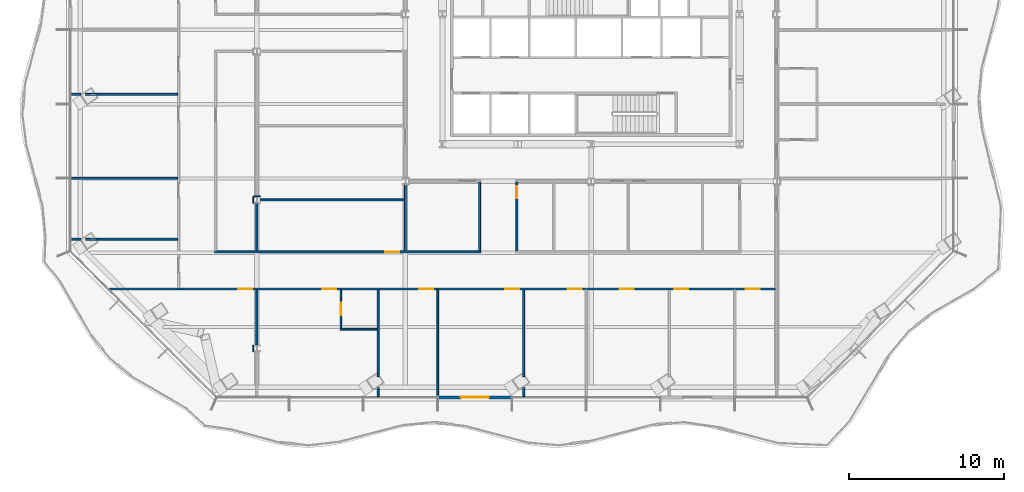
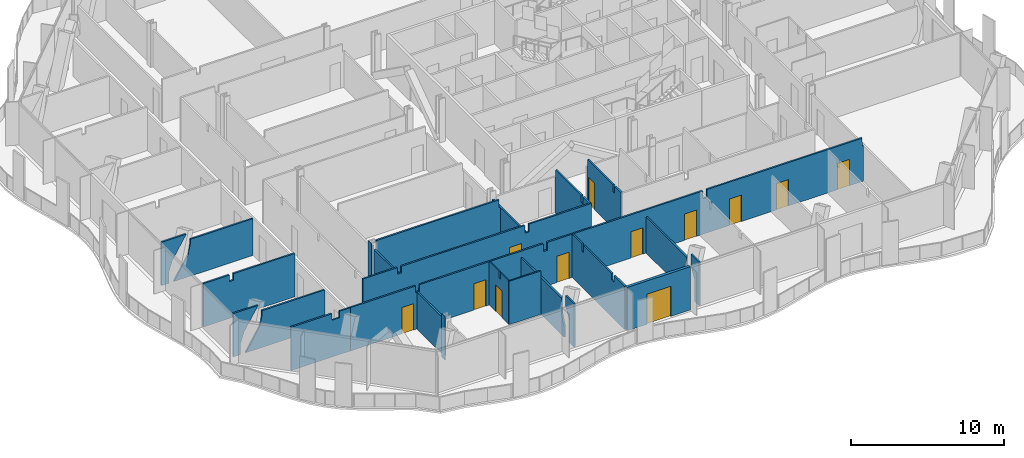
# One storey, part 6 of 19: 25 walls, 12 doors, 12 openings.
"""IFC4 building model written with IfcOpenShell, lengths in metres."""

from ifc_helpers import new_model, si_unit, direction, frame, frame_2d, origin, place, context, subcontext, project, spatial, polyline, rectangle, outline, extrude, material, layer, layer_set, type_object, element, fill, save


model = new_model("IFC4")

# Units and contexts
model_context = context("Model", 3, precision=1e-05, world=origin(), true_north=direction((0.0, 1.0)))
body_context = subcontext(model_context, "Body", "Model", "MODEL_VIEW")
ifc_project = project(units=[si_unit("LENGTHUNIT", "METRE"), si_unit("AREAUNIT", "SQUARE_METRE"), si_unit("VOLUMEUNIT", "CUBIC_METRE"), si_unit("PLANEANGLEUNIT", "RADIAN"), si_unit("MASSUNIT", "GRAM", prefix="KILO")], contexts=[model_context])

# Site, building, storey
site_placement = place(None, origin())
site = spatial("IfcSite", under=ifc_project, at=site_placement, CompositionType="ELEMENT")
building_placement = place(site_placement, origin())
building = spatial("IfcBuilding", under=site, at=building_placement, Name="Cairn Pilgrim Tower", CompositionType="ELEMENT")
storey_placement = place(building_placement, frame((0.0, 0.0, 97.800048828125)))
storey = spatial("IfcBuildingStorey", under=building, at=storey_placement, Name="L23", CompositionType="ELEMENT", Elevation=97.800048828125)

# Wall, opening, door
ifc_material_1 = material(Name="Bronze anodised aluminium insulated sandwich panel with mineral wool fill", Category="aluminium")
ifc_layer_1 = layer(ifc_material_1, 0.199951171875)
ifc_layer_set_1 = layer_set([ifc_layer_1], Name="BRONZE INFILL FRAME WALL 200")
wall_type_1 = type_object("IfcWallType", Name="BRONZE INFILL FRAME WALL 200", PredefinedType="NOTDEFINED", material=ifc_layer_set_1)
wall_1_placement = place(storey_placement, frame((-2.682861328125, -22.358642578125, 0.0), z_axis=(0.0, 0.0, 1.0), x_axis=(1.0, 0.0, 0.0)))
wall_1 = element("IfcWall", 1, at=wall_1_placement, inside=storey, type_object=wall_type_1, Name="Bronze infill frame wall IW-S4", PredefinedType="NOTDEFINED", context=body_context, shape_type="SweptSolid", body=[
    extrude(rectangle(XDim=4.739990234375, YDim=0.199951171875, at=frame_2d((2.3701171875, 0.0))), origin(), (0.0, 0.0, 1.0), 3.449951171875),
])
opening_1_placement = place(wall_1_placement, frame((1.469970703125, 0.0, 0.0)))
opening_1 = element("IfcOpeningElement", 2, at=opening_1_placement, cuts=wall_1, Name="Opening 2304B", PredefinedType="OPENING", context=body_context, shape_type="SweptSolid", body=[
    extrude(rectangle(XDim=1.800048828125, YDim=2.39990234375, at=frame_2d((0.89990234375, 1.199951171875))), frame((0.0, 0.10986328125, 0.0), z_axis=(0.0, -1.0, 0.0), x_axis=(1.0, 0.0, 0.0)), (0.0, 0.0, 1.0), 0.219970703125),
])
ifc_material_2 = material(Name="Bronze anodised aluminium frame with tinted low-E glass", Category="aluminium")
door_type_1 = type_object("IfcDoorType", Name="BALCONY SLIDING DOOR 1800x2400", OperationType="DOUBLE_DOOR_SLIDING", PredefinedType="DOOR", material=ifc_material_2)
door_1_placement = place(opening_1_placement, origin())
door_1 = element("IfcDoor", 3, at=door_1_placement, inside=storey, type_object=door_type_1, Name="Balcony sliding door 2304B", OperationType="SINGLE_SWING_LEFT", OverallHeight=2.39990234375, OverallWidth=1.800048828125, PredefinedType="DOOR", context=body_context, shape_type="SweptSolid", body=[
    extrude(rectangle(XDim=1.800048828125, YDim=2.39990234375, at=frame_2d((0.89990234375, 1.199951171875))), frame((0.0, 0.02490234375, 0.0), z_axis=(0.0, -1.0, 0.0), x_axis=(1.0, 0.0, 0.0)), (0.0, 0.0, 1.0), 0.050048828125),
])
fill(opening_1, door_1)

# Wall
ifc_material_3 = material(Name="Gypsum partition")
ifc_layer_2 = layer(ifc_material_3, 0.10009765625)
ifc_layer_set_2 = layer_set([ifc_layer_2], Name="PARTITION 100 DRYWALL")
wall_type_2 = type_object("IfcWallType", Name="PARTITION 100 DRYWALL", PredefinedType="PARTITIONING", material=ifc_layer_set_2)
wall_2_placement = place(storey_placement, frame((-9.02001953125, -17.958984375, 0.0), z_axis=(0.0, 0.0, 1.0), x_axis=(1.0, 0.0, 0.0)))
element("IfcWall", 4, at=wall_2_placement, inside=storey, type_object=wall_type_2, Name="PARTITION W013", PredefinedType="PARTITIONING", context=body_context, shape_type="SweptSolid", body=[
    extrude(rectangle(XDim=2.387451171875, YDim=0.10009765625, at=frame_2d((1.19384765625, 0.0))), origin(), (0.0, 0.0, 1.0), 3.449951171875),
])

# Wall, opening, door
wall_3_placement = place(storey_placement, frame((-8.969970703125, -17.908935546875, 0.0), z_axis=(0.0, 0.0, 1.0), x_axis=(0.0, 1.0, 0.0)))
wall_3 = element("IfcWall", 5, at=wall_3_placement, inside=storey, type_object=wall_type_2, Name="PARTITION W014", PredefinedType="PARTITIONING", context=body_context, shape_type="SweptSolid", body=[
    extrude(outline(polyline([(0.0, 0.0), (2.487548828125, 0.0), (2.487548828125, 3.449951171875), (1.208984375, 3.449951171875), (1.20703125, 2.929931640625), (1.009033203125, 2.929931640625), (1.007080078125, 3.449951171875), (0.0, 3.449951171875), (0.0, 0.0)])), frame((0.0, 0.050048828125, 0.0), z_axis=(0.0, -1.0, 0.0), x_axis=(1.0, 0.0, 0.0)), (0.0, 0.0, 1.0), 0.10009765625),
])
opening_2_placement = place(wall_3_placement, frame((0.85009765625, 0.0, 0.0)))
opening_2 = element("IfcOpeningElement", 6, at=opening_2_placement, cuts=wall_3, Name="Opening 2302E", PredefinedType="OPENING", context=body_context, shape_type="SweptSolid", body=[
    extrude(rectangle(XDim=0.800048828125, YDim=2.10009765625, at=frame_2d((0.39990234375, 1.050048828125))), frame((0.0, 0.06005859375, 0.0), z_axis=(0.0, -1.0, 0.0), x_axis=(1.0, 0.0, 0.0)), (0.0, 0.0, 1.0), 0.1201171875),
])
ifc_material_4 = material(Name="Timber door leaf", Category="wood")
door_type_2 = type_object("IfcDoorType", Name="DOOR 800x2100", OperationType="NOTDEFINED", PredefinedType="DOOR", material=ifc_material_4)
door_2_placement = place(opening_2_placement, frame((0.800048828125, 0.0, 0.0), z_axis=(0.0, 0.0, 1.0), x_axis=(-1.0, 0.0, 0.0)))
door_2 = element("IfcDoor", 7, at=door_2_placement, inside=storey, type_object=door_type_2, Name="DOOR 2302E", OperationType="SINGLE_SWING_RIGHT", OverallHeight=2.10009765625, OverallWidth=0.800048828125, PredefinedType="DOOR", context=body_context, shape_type="SweptSolid", body=[
    extrude(rectangle(XDim=0.800048828125, YDim=2.10009765625, at=frame_2d((0.39990234375, 1.050048828125))), frame((0.0, 0.02490234375, 0.0), z_axis=(0.0, -1.0, 0.0), x_axis=(1.0, 0.0, 0.0)), (0.0, 0.0, 1.0), 0.050048828125),
])
fill(opening_2, door_2)

# Walls
ifc_layer_3 = layer(ifc_material_3, 0.125)
ifc_layer_set_3 = layer_set([ifc_layer_3], Name="PARTITION 125 DRYWALL EI 60")
wall_type_3 = type_object("IfcWallType", Name="PARTITION 125 DRYWALL EI 60", PredefinedType="PARTITIONING", material=ifc_layer_set_3)
wall_4_placement = place(storey_placement, frame((-6.570068359375, -22.3115234375, 0.0), z_axis=(0.0, 0.0, 1.0), x_axis=(0.0, 1.0, 0.0)))
element("IfcWall", 8, at=wall_4_placement, inside=storey, type_object=wall_type_3, Name="PARTITION W002", PredefinedType="PARTITIONING", context=body_context, shape_type="SweptSolid", body=[
    extrude(outline(polyline([(0.0, 0.0), (0.5849609375, 0.0), (0.5849609375, 0.862548828125), (0.5849609375, 1.724853515625), (1.059326171875, 2.58740234375), (1.059326171875, 3.449951171875), (0.0, 3.449951171875), (0.0, 2.58740234375), (0.0, 1.724853515625), (0.0, 0.862548828125), (0.0, 0.0)])), frame((0.0, 0.0625, 0.0), z_axis=(0.0, -1.0, 0.0), x_axis=(1.0, 0.0, 0.0)), (0.0, 0.0, 1.0), 0.125),
])
wall_5_placement = place(storey_placement, frame((-2.712890625, -22.258544921875, 0.0), z_axis=(0.0, 0.0, 1.0), x_axis=(0.0, 1.0, 0.0)))
element("IfcWall", 9, at=wall_5_placement, inside=storey, type_object=wall_type_3, Name="PARTITION W003", PredefinedType="PARTITIONING", context=body_context, shape_type="SweptSolid", body=[
    extrude(outline(polyline([(0.0, 0.0), (6.837158203125, 0.0), (6.837158203125, 3.449951171875), (5.563720703125, 3.449951171875), (5.5615234375, 2.8798828125), (5.353515625, 2.8798828125), (5.3515625, 3.449951171875), (1.70849609375, 3.449951171875), (1.70654296875, 2.929931640625), (1.40869140625, 2.929931640625), (1.406494140625, 3.449951171875), (0.0, 3.449951171875), (0.0, 0.0)])), frame((0.0, 0.0625, 0.0), z_axis=(0.0, -1.0, 0.0), x_axis=(1.0, 0.0, 0.0)), (0.0, 0.0, 1.0), 0.125),
])
wall_6_placement = place(storey_placement, frame((2.843994140625, -22.3115234375, 0.0), z_axis=(0.0, 0.0, 1.0), x_axis=(0.0, 1.0, 0.0)))
element("IfcWall", 10, at=wall_6_placement, inside=storey, type_object=wall_type_3, Name="PARTITION W004", PredefinedType="PARTITIONING", context=body_context, shape_type="SweptSolid", body=[
    extrude(outline(polyline([(0.0, 0.0), (0.585205078125, 0.0), (0.585205078125, 0.862548828125), (0.585205078125, 1.724853515625), (1.05859375, 2.58740234375), (1.05859375, 3.449951171875), (0.0, 3.449951171875), (0.0, 2.58740234375), (0.0, 1.724853515625), (0.0, 0.862548828125), (0.0, 0.0)])), frame((0.0, 0.0625, 0.0), z_axis=(0.0, -1.0, 0.0), x_axis=(1.0, 0.0, 0.0)), (0.0, 0.0, 1.0), 0.125),
])
wall_7_placement = place(storey_placement, frame((-6.570068359375, -21.019775390625, 0.0), z_axis=(0.0, 0.0, 1.0), x_axis=(0.0, 1.0, 0.0)))
element("IfcWall", 11, at=wall_7_placement, inside=storey, type_object=wall_type_3, Name="PARTITION W009", PredefinedType="PARTITIONING", context=body_context, shape_type="SweptSolid", body=[
    extrude(outline(polyline([(0.0, 0.0), (5.598388671875, 0.0), (5.598388671875, 0.862548828125), (5.598388671875, 1.724853515625), (5.598388671875, 2.58740234375), (5.598388671875, 2.929931640625), (0.337890625, 2.929931640625), (0.337890625, 2.58740234375), (0.337890625, 1.724853515625), (0.0, 0.862548828125), (0.0, 0.0)])), frame((0.0, 0.0625, 0.0), z_axis=(0.0, -1.0, 0.0), x_axis=(1.0, 0.0, 0.0)), (0.0, 0.0, 1.0), 0.125),
])
wall_8_placement = place(storey_placement, frame((2.843994140625, -21.0205078125, 0.0), z_axis=(0.0, 0.0, 1.0), x_axis=(0.0, 1.0, 0.0)))
element("IfcWall", 12, at=wall_8_placement, inside=storey, type_object=wall_type_3, Name="PARTITION W010", PredefinedType="PARTITIONING", context=body_context, shape_type="SweptSolid", body=[
    extrude(outline(polyline([(0.0, 0.0), (5.598876953125, 0.0), (5.598876953125, 0.862548828125), (5.598876953125, 1.724853515625), (5.598876953125, 2.58740234375), (5.598876953125, 2.8798828125), (0.3388671875, 2.8798828125), (0.3388671875, 2.58740234375), (0.3388671875, 1.724853515625), (0.0, 0.862548828125), (0.0, 0.0)])), frame((0.0, 0.0625, 0.0), z_axis=(0.0, -1.0, 0.0), x_axis=(1.0, 0.0, 0.0)), (0.0, 0.0, 1.0), 0.125),
])
wall_9_placement = place(storey_placement, frame((-14.39990234375, -18.987548828125, 0.0), z_axis=(0.0, 0.0, 1.0), x_axis=(0.0, 1.0, 0.0)))
element("IfcWall", 13, at=wall_9_placement, inside=storey, type_object=wall_type_3, Name="PARTITION W012", PredefinedType="PARTITIONING", context=body_context, shape_type="SweptSolid", body=[
    extrude(rectangle(XDim=3.566162109375, YDim=0.125, at=frame_2d((1.783203125, 0.0))), origin(), (0.0, 0.0, 1.0), 2.929931640625),
])
wall_10_placement = place(storey_placement, frame((-23.91943359375, -15.35888671875, 0.0), z_axis=(0.0, 0.0, 1.0), x_axis=(1.0, 0.0, 0.0)))
element("IfcWall", 14, at=wall_10_placement, inside=storey, type_object=wall_type_3, Name="PARTITION W015", PredefinedType="PARTITIONING", context=body_context, shape_type="SweptSolid", body=[
    extrude(outline(polyline([(0.0, 0.0), (4.45654296875, 0.0), (4.45654296875, 3.449951171875), (3.6259765625, 3.449951171875), (3.6240234375, 2.929931640625), (3.07666015625, 2.929931640625), (3.07470703125, 3.449951171875), (0.0, 3.449951171875), (0.0, 0.0)])), frame((0.0, 0.0625, 0.0), z_axis=(0.0, -1.0, 0.0), x_axis=(1.0, 0.0, 0.0)), (0.0, 0.0, 1.0), 0.125),
])

# Wall, openings, doors
wall_11_placement = place(storey_placement, frame((-19.462890625, -15.35888671875, 0.0), z_axis=(0.0, 0.0, 1.0), x_axis=(1.0, 0.0, 0.0)))
wall_11 = element("IfcWall", 15, at=wall_11_placement, inside=storey, type_object=wall_type_3, Name="PARTITION W016", PredefinedType="PARTITIONING", context=body_context, shape_type="SweptSolid", body=[
    extrude(outline(polyline([(0.0, 0.0), (38.600341796875, 0.0), (38.6005859375, 2.829833984375), (38.512939453125, 2.829833984375), (38.510986328125, 3.449951171875), (26.81298828125, 3.449951171875), (26.81103515625, 2.829833984375), (26.512939453125, 2.829833984375), (26.510986328125, 3.449951171875), (14.81298828125, 3.449951171875), (14.81103515625, 2.829833984375), (14.512939453125, 2.829833984375), (14.510986328125, 3.449951171875), (5.212890625, 3.449951171875), (5.2109375, 2.929931640625), (4.9130859375, 2.929931640625), (4.910888671875, 3.449951171875), (0.0, 3.449951171875), (0.0, 0.0)])), frame((0.0, 0.0625, 0.0), z_axis=(0.0, -1.0, 0.0), x_axis=(1.0, 0.0, 0.0)), (0.0, 0.0, 1.0), 0.125),
])
opening_3_placement = place(wall_11_placement, frame((3.863037109375, 0.0, 0.0)))
opening_3 = element("IfcOpeningElement", 16, at=opening_3_placement, cuts=wall_11, Name="Opening 2301", PredefinedType="OPENING", context=body_context, shape_type="SweptSolid", body=[
    extrude(rectangle(XDim=0.89990234375, YDim=2.10009765625, at=frame_2d((0.449951171875, 1.050048828125))), frame((0.0, 0.072509765625, 0.0), z_axis=(0.0, -1.0, 0.0), x_axis=(1.0, 0.0, 0.0)), (0.0, 0.0, 1.0), 0.14501953125),
])
opening_4_placement = place(wall_11_placement, frame((9.29296875, 0.0, 0.0)))
opening_4 = element("IfcOpeningElement", 17, at=opening_4_placement, cuts=wall_11, Name="Opening 2302", PredefinedType="OPENING", context=body_context, shape_type="SweptSolid", body=[
    extrude(rectangle(XDim=0.89990234375, YDim=2.10009765625, at=frame_2d((0.449951171875, 1.050048828125))), frame((0.0, 0.072509765625, 0.0), z_axis=(0.0, -1.0, 0.0), x_axis=(1.0, 0.0, 0.0)), (0.0, 0.0, 1.0), 0.14501953125),
])
opening_5_placement = place(wall_11_placement, frame((15.550048828125, 0.0, 0.0)))
opening_5 = element("IfcOpeningElement", 18, at=opening_5_placement, cuts=wall_11, Name="Opening 2303", PredefinedType="OPENING", context=body_context, shape_type="SweptSolid", body=[
    extrude(rectangle(XDim=0.89990234375, YDim=2.10009765625, at=frame_2d((0.449951171875, 1.050048828125))), frame((0.0, 0.072509765625, 0.0), z_axis=(0.0, -1.0, 0.0), x_axis=(1.0, 0.0, 0.0)), (0.0, 0.0, 1.0), 0.14501953125),
])
opening_6_placement = place(wall_11_placement, frame((21.10693359375, 0.0, 0.0)))
opening_6 = element("IfcOpeningElement", 19, at=opening_6_placement, cuts=wall_11, Name="Opening 2304", PredefinedType="OPENING", context=body_context, shape_type="SweptSolid", body=[
    extrude(rectangle(XDim=0.89990234375, YDim=2.10009765625, at=frame_2d((0.449951171875, 1.050048828125))), frame((0.0, 0.072509765625, 0.0), z_axis=(0.0, -1.0, 0.0), x_axis=(1.0, 0.0, 0.0)), (0.0, 0.0, 1.0), 0.14501953125),
])
opening_7_placement = place(wall_11_placement, frame((25.14990234375, 0.0, 0.0)))
opening_7 = element("IfcOpeningElement", 20, at=opening_7_placement, cuts=wall_11, Name="Opening 2305", PredefinedType="OPENING", context=body_context, shape_type="SweptSolid", body=[
    extrude(rectangle(XDim=0.89990234375, YDim=2.10009765625, at=frame_2d((0.449951171875, 1.050048828125))), frame((0.0, 0.072509765625, 0.0), z_axis=(0.0, -1.0, 0.0), x_axis=(1.0, 0.0, 0.0)), (0.0, 0.0, 1.0), 0.14501953125),
])
opening_8_placement = place(wall_11_placement, frame((28.52001953125, 0.0, 0.0)))
opening_8 = element("IfcOpeningElement", 21, at=opening_8_placement, cuts=wall_11, Name="Opening 2306", PredefinedType="OPENING", context=body_context, shape_type="SweptSolid", body=[
    extrude(rectangle(XDim=0.89990234375, YDim=2.10009765625, at=frame_2d((0.449951171875, 1.050048828125))), frame((0.0, 0.072509765625, 0.0), z_axis=(0.0, -1.0, 0.0), x_axis=(1.0, 0.0, 0.0)), (0.0, 0.0, 1.0), 0.14501953125),
])
opening_9_placement = place(wall_11_placement, frame((32.050048828125, 0.0, 0.0)))
opening_9 = element("IfcOpeningElement", 22, at=opening_9_placement, cuts=wall_11, Name="Opening 2307", PredefinedType="OPENING", context=body_context, shape_type="SweptSolid", body=[
    extrude(rectangle(XDim=0.89990234375, YDim=2.10009765625, at=frame_2d((0.449951171875, 1.050048828125))), frame((0.0, 0.072509765625, 0.0), z_axis=(0.0, -1.0, 0.0), x_axis=(1.0, 0.0, 0.0)), (0.0, 0.0, 1.0), 0.14501953125),
])
opening_10_placement = place(wall_11_placement, frame((36.6630859375, 0.0, 0.0)))
opening_10 = element("IfcOpeningElement", 23, at=opening_10_placement, cuts=wall_11, Name="Opening 2308", PredefinedType="OPENING", context=body_context, shape_type="SweptSolid", body=[
    extrude(rectangle(XDim=0.89990234375, YDim=2.10009765625, at=frame_2d((0.449951171875, 1.050048828125))), frame((0.0, 0.072509765625, 0.0), z_axis=(0.0, -1.0, 0.0), x_axis=(1.0, 0.0, 0.0)), (0.0, 0.0, 1.0), 0.14501953125),
])
ifc_material_5 = material(Name="Steel-faced fire door leaf", Category="steel")
door_type_3 = type_object("IfcDoorType", Name="FIRE DOOR 900x2100 FD30S", OperationType="NOTDEFINED", PredefinedType="DOOR", material=ifc_material_5)
door_3_placement = place(opening_3_placement, frame((0.89990234375, 0.0, 0.0), z_axis=(0.0, 0.0, 1.0), x_axis=(-1.0, 0.0, 0.0)))
door_3 = element("IfcDoor", 24, at=door_3_placement, inside=storey, type_object=door_type_3, Name="DOOR 2301", OperationType="SINGLE_SWING_RIGHT", OverallHeight=2.10009765625, OverallWidth=0.89990234375, PredefinedType="DOOR", context=body_context, shape_type="SweptSolid", body=[
    extrude(rectangle(XDim=0.89990234375, YDim=2.10009765625, at=frame_2d((0.449951171875, 1.050048828125))), frame((0.0, 0.02490234375, 0.0), z_axis=(0.0, -1.0, 0.0), x_axis=(1.0, 0.0, 0.0)), (0.0, 0.0, 1.0), 0.050048828125),
])
fill(opening_3, door_3)
door_4_placement = place(opening_4_placement, frame((0.89990234375, 0.0, 0.0), z_axis=(0.0, 0.0, 1.0), x_axis=(-1.0, 0.0, 0.0)))
door_4 = element("IfcDoor", 25, at=door_4_placement, inside=storey, type_object=door_type_3, Name="DOOR 2302", OperationType="SINGLE_SWING_LEFT", OverallHeight=2.10009765625, OverallWidth=0.89990234375, PredefinedType="DOOR", context=body_context, shape_type="SweptSolid", body=[
    extrude(rectangle(XDim=0.89990234375, YDim=2.10009765625, at=frame_2d((0.449951171875, 1.050048828125))), frame((0.0, 0.02490234375, 0.0), z_axis=(0.0, -1.0, 0.0), x_axis=(1.0, 0.0, 0.0)), (0.0, 0.0, 1.0), 0.050048828125),
])
fill(opening_4, door_4)
door_5_placement = place(opening_5_placement, frame((0.89990234375, 0.0, 0.0), z_axis=(0.0, 0.0, 1.0), x_axis=(-1.0, 0.0, 0.0)))
door_5 = element("IfcDoor", 26, at=door_5_placement, inside=storey, type_object=door_type_3, Name="DOOR 2303", OperationType="SINGLE_SWING_LEFT", OverallHeight=2.10009765625, OverallWidth=0.89990234375, PredefinedType="DOOR", context=body_context, shape_type="SweptSolid", body=[
    extrude(rectangle(XDim=0.89990234375, YDim=2.10009765625, at=frame_2d((0.449951171875, 1.050048828125))), frame((0.0, 0.02490234375, 0.0), z_axis=(0.0, -1.0, 0.0), x_axis=(1.0, 0.0, 0.0)), (0.0, 0.0, 1.0), 0.050048828125),
])
fill(opening_5, door_5)
door_6_placement = place(opening_6_placement, frame((0.89990234375, 0.0, 0.0), z_axis=(0.0, 0.0, 1.0), x_axis=(-1.0, 0.0, 0.0)))
door_6 = element("IfcDoor", 27, at=door_6_placement, inside=storey, type_object=door_type_3, Name="DOOR 2304", OperationType="SINGLE_SWING_RIGHT", OverallHeight=2.10009765625, OverallWidth=0.89990234375, PredefinedType="DOOR", context=body_context, shape_type="SweptSolid", body=[
    extrude(rectangle(XDim=0.89990234375, YDim=2.10009765625, at=frame_2d((0.449951171875, 1.050048828125))), frame((0.0, 0.02490234375, 0.0), z_axis=(0.0, -1.0, 0.0), x_axis=(1.0, 0.0, 0.0)), (0.0, 0.0, 1.0), 0.050048828125),
])
fill(opening_6, door_6)
door_7_placement = place(opening_7_placement, frame((0.89990234375, 0.0, 0.0), z_axis=(0.0, 0.0, 1.0), x_axis=(-1.0, 0.0, 0.0)))
door_7 = element("IfcDoor", 28, at=door_7_placement, inside=storey, type_object=door_type_3, Name="DOOR 2305", OperationType="SINGLE_SWING_LEFT", OverallHeight=2.10009765625, OverallWidth=0.89990234375, PredefinedType="DOOR", context=body_context, shape_type="SweptSolid", body=[
    extrude(rectangle(XDim=0.89990234375, YDim=2.10009765625, at=frame_2d((0.449951171875, 1.050048828125))), frame((0.0, 0.02490234375, 0.0), z_axis=(0.0, -1.0, 0.0), x_axis=(1.0, 0.0, 0.0)), (0.0, 0.0, 1.0), 0.050048828125),
])
fill(opening_7, door_7)
door_8_placement = place(opening_8_placement, frame((0.89990234375, 0.0, 0.0), z_axis=(0.0, 0.0, 1.0), x_axis=(-1.0, 0.0, 0.0)))
door_8 = element("IfcDoor", 29, at=door_8_placement, inside=storey, type_object=door_type_3, Name="DOOR 2306", OperationType="SINGLE_SWING_RIGHT", OverallHeight=2.10009765625, OverallWidth=0.89990234375, PredefinedType="DOOR", context=body_context, shape_type="SweptSolid", body=[
    extrude(rectangle(XDim=0.89990234375, YDim=2.10009765625, at=frame_2d((0.449951171875, 1.050048828125))), frame((0.0, 0.02490234375, 0.0), z_axis=(0.0, -1.0, 0.0), x_axis=(1.0, 0.0, 0.0)), (0.0, 0.0, 1.0), 0.050048828125),
])
fill(opening_8, door_8)
door_9_placement = place(opening_9_placement, frame((0.89990234375, 0.0, 0.0), z_axis=(0.0, 0.0, 1.0), x_axis=(-1.0, 0.0, 0.0)))
door_9 = element("IfcDoor", 30, at=door_9_placement, inside=storey, type_object=door_type_3, Name="DOOR 2307", OperationType="SINGLE_SWING_LEFT", OverallHeight=2.10009765625, OverallWidth=0.89990234375, PredefinedType="DOOR", context=body_context, shape_type="SweptSolid", body=[
    extrude(rectangle(XDim=0.89990234375, YDim=2.10009765625, at=frame_2d((0.449951171875, 1.050048828125))), frame((0.0, 0.02490234375, 0.0), z_axis=(0.0, -1.0, 0.0), x_axis=(1.0, 0.0, 0.0)), (0.0, 0.0, 1.0), 0.050048828125),
])
fill(opening_9, door_9)
door_10_placement = place(opening_10_placement, frame((0.89990234375, 0.0, 0.0), z_axis=(0.0, 0.0, 1.0), x_axis=(-1.0, 0.0, 0.0)))
door_10 = element("IfcDoor", 31, at=door_10_placement, inside=storey, type_object=door_type_3, Name="DOOR 2308", OperationType="SINGLE_SWING_RIGHT", OverallHeight=2.10009765625, OverallWidth=0.89990234375, PredefinedType="DOOR", context=body_context, shape_type="SweptSolid", body=[
    extrude(rectangle(XDim=0.89990234375, YDim=2.10009765625, at=frame_2d((0.449951171875, 1.050048828125))), frame((0.0, 0.02490234375, 0.0), z_axis=(0.0, -1.0, 0.0), x_axis=(1.0, 0.0, 0.0)), (0.0, 0.0, 1.0), 0.050048828125),
])
fill(opening_10, door_10)

# Wall, opening, door
wall_12_placement = place(storey_placement, frame((-17.12548828125, -12.958984375, 0.0), z_axis=(0.0, 0.0, 1.0), x_axis=(1.0, 0.0, 0.0)))
wall_12 = element("IfcWall", 32, at=wall_12_placement, inside=storey, type_object=wall_type_3, Name="PARTITION W019", PredefinedType="PARTITIONING", context=body_context, shape_type="SweptSolid", body=[
    extrude(outline(polyline([(0.0, 0.0), (17.18798828125, 0.0), (17.18798828125, 3.449951171875), (12.4755859375, 3.449951171875), (12.473388671875, 2.829833984375), (12.175537109375, 2.829833984375), (12.173583984375, 3.449951171875), (2.87548828125, 3.449951171875), (2.87353515625, 2.929931640625), (2.575439453125, 2.929931640625), (2.573486328125, 3.449951171875), (0.0, 3.449951171875), (0.0, 0.0)])), frame((0.0, 0.0625, 0.0), z_axis=(0.0, -1.0, 0.0), x_axis=(1.0, 0.0, 0.0)), (0.0, 0.0, 1.0), 0.125),
])
opening_11_placement = place(wall_12_placement, frame((11.025390625, 0.0, 0.0)))
opening_11 = element("IfcOpeningElement", 33, at=opening_11_placement, cuts=wall_12, Name="Opening 2328", PredefinedType="OPENING", context=body_context, shape_type="SweptSolid", body=[
    extrude(rectangle(XDim=0.89990234375, YDim=2.10009765625, at=frame_2d((0.449951171875, 1.050048828125))), frame((0.0, 0.072509765625, 0.0), z_axis=(0.0, -1.0, 0.0), x_axis=(1.0, 0.0, 0.0)), (0.0, 0.0, 1.0), 0.14501953125),
])
door_11_placement = place(opening_11_placement, origin())
door_11 = element("IfcDoor", 34, at=door_11_placement, inside=storey, type_object=door_type_3, Name="DOOR 2328", OperationType="SINGLE_SWING_LEFT", OverallHeight=2.10009765625, OverallWidth=0.89990234375, PredefinedType="DOOR", context=body_context, shape_type="SweptSolid", body=[
    extrude(rectangle(XDim=0.89990234375, YDim=2.10009765625, at=frame_2d((0.449951171875, 1.050048828125))), frame((0.0, 0.02490234375, 0.0), z_axis=(0.0, -1.0, 0.0), x_axis=(1.0, 0.0, 0.0)), (0.0, 0.0, 1.0), 0.050048828125),
])
fill(opening_11, door_11)

# Walls
wall_13_placement = place(storey_placement, frame((-14.39990234375, -12.896484375, 0.0), z_axis=(0.0, 0.0, 1.0), x_axis=(0.0, 1.0, 0.0)))
element("IfcWall", 35, at=wall_13_placement, inside=storey, type_object=wall_type_3, Name="PARTITION W022", PredefinedType="PARTITIONING", context=body_context, shape_type="SweptSolid", body=[
    extrude(rectangle(XDim=3.083984375, YDim=0.125, at=frame_2d((1.5419921875, 0.0))), origin(), (0.0, 0.0, 1.0), 2.929931640625),
])
wall_14_placement = place(storey_placement, frame((-4.800048828125, -12.896484375, 0.0), z_axis=(0.0, 0.0, 1.0), x_axis=(0.0, 1.0, 0.0)))
element("IfcWall", 36, at=wall_14_placement, inside=storey, type_object=wall_type_3, Name="PARTITION W023", PredefinedType="PARTITIONING", context=body_context, shape_type="SweptSolid", body=[
    extrude(rectangle(XDim=4.283935546875, YDim=0.125, at=frame_2d((2.14208984375, 0.0))), origin(), (0.0, 0.0, 1.0), 2.829833984375),
])
wall_15_placement = place(storey_placement, frame((0.0, -12.896484375, 0.0), z_axis=(0.0, 0.0, 1.0), x_axis=(0.0, 1.0, 0.0)))
element("IfcWall", 37, at=wall_15_placement, inside=storey, type_object=wall_type_3, Name="PARTITION W024", PredefinedType="PARTITIONING", context=body_context, shape_type="SweptSolid", body=[
    extrude(outline(polyline([(0.0, 0.0), (4.43408203125, 0.0), (4.43408203125, 2.829833984375), (4.346435546875, 2.829833984375), (4.344482421875, 3.449951171875), (1.00146484375, 3.449951171875), (0.99951171875, 2.8798828125), (0.79150390625, 2.8798828125), (0.78955078125, 3.449951171875), (0.0, 3.449951171875), (0.0, 0.0)])), frame((0.0, 0.0625, 0.0), z_axis=(0.0, -1.0, 0.0), x_axis=(1.0, 0.0, 0.0)), (0.0, 0.0, 1.0), 0.125),
])

# Wall, opening, door
wall_16_placement = place(storey_placement, frame((2.39990234375, -12.896484375, 0.0), z_axis=(0.0, 0.0, 1.0), x_axis=(0.0, 1.0, 0.0)))
wall_16 = element("IfcWall", 38, at=wall_16_placement, inside=storey, type_object=wall_type_3, Name="PARTITION W025", PredefinedType="PARTITIONING", context=body_context, shape_type="SweptSolid", body=[
    extrude(outline(polyline([(0.0, 0.0), (4.43408203125, 0.0), (4.43408203125, 2.829833984375), (4.346435546875, 2.829833984375), (4.344482421875, 3.449951171875), (1.00146484375, 3.449951171875), (0.99951171875, 2.8798828125), (0.79150390625, 2.8798828125), (0.78955078125, 3.449951171875), (0.0, 3.449951171875), (0.0, 0.0)])), frame((0.0, 0.0625, 0.0), z_axis=(0.0, -1.0, 0.0), x_axis=(1.0, 0.0, 0.0)), (0.0, 0.0, 1.0), 0.125),
])
opening_12_placement = place(wall_16_placement, frame((3.396484375, 0.0, 0.0)))
opening_12 = element("IfcOpeningElement", 39, at=opening_12_placement, cuts=wall_16, Name="Opening 2336", PredefinedType="OPENING", context=body_context, shape_type="SweptSolid", body=[
    extrude(rectangle(XDim=0.800048828125, YDim=2.10009765625, at=frame_2d((0.39990234375, 1.050048828125))), frame((0.0, 0.072509765625, 0.0), z_axis=(0.0, -1.0, 0.0), x_axis=(1.0, 0.0, 0.0)), (0.0, 0.0, 1.0), 0.14501953125),
])
door_type_4 = type_object("IfcDoorType", Name="FIRE DOOR 800x2100 FD30S", OperationType="NOTDEFINED", PredefinedType="DOOR", material=ifc_material_5)
door_12_placement = place(opening_12_placement, frame((0.800048828125, 0.0, 0.0), z_axis=(0.0, 0.0, 1.0), x_axis=(-1.0, 0.0, 0.0)))
door_12 = element("IfcDoor", 40, at=door_12_placement, inside=storey, type_object=door_type_4, Name="DOOR 2336", OperationType="SINGLE_SWING_LEFT", OverallHeight=2.10009765625, OverallWidth=0.800048828125, PredefinedType="DOOR", context=body_context, shape_type="SweptSolid", body=[
    extrude(rectangle(XDim=0.800048828125, YDim=2.10009765625, at=frame_2d((0.39990234375, 1.050048828125))), frame((0.0, 0.02490234375, 0.0), z_axis=(0.0, -1.0, 0.0), x_axis=(1.0, 0.0, 0.0)), (0.0, 0.0, 1.0), 0.050048828125),
])
fill(opening_12, door_12)

# Walls
wall_17_placement = place(storey_placement, frame((-26.416015625, -12.132080078125, 0.0), z_axis=(0.0, 0.0, 1.0), x_axis=(1.0, 0.0, 0.0)))
element("IfcWall", 41, at=wall_17_placement, inside=storey, type_object=wall_type_3, Name="PARTITION W030", PredefinedType="PARTITIONING", context=body_context, shape_type="SweptSolid", body=[
    extrude(outline(polyline([(0.0, 0.0), (0.5439453125, 0.0), (0.5439453125, 0.862548828125), (0.8251953125, 1.724853515625), (1.3486328125, 2.58740234375), (1.872314453125, 3.449951171875), (0.0, 3.449951171875), (0.0, 2.58740234375), (0.0, 1.724853515625), (0.0, 0.862548828125), (0.0, 0.0)])), frame((0.0, 0.0625, 0.0), z_axis=(0.0, -1.0, 0.0), x_axis=(1.0, 0.0, 0.0)), (0.0, 0.0, 1.0), 0.125),
])
wall_18_placement = place(storey_placement, frame((-25.477294921875, -12.132080078125, 0.0), z_axis=(0.0, 0.0, 1.0), x_axis=(1.0, 0.0, 0.0)))
element("IfcWall", 42, at=wall_18_placement, inside=storey, type_object=wall_type_3, Name="PARTITION W031", PredefinedType="PARTITIONING", context=body_context, shape_type="SweptSolid", body=[
    extrude(outline(polyline([(0.0, 0.0), (5.951904296875, 0.0), (5.951904296875, 0.862548828125), (5.951904296875, 1.724853515625), (5.951904296875, 2.58740234375), (5.951904296875, 2.929931640625), (1.235107421875, 2.929931640625), (1.235107421875, 2.58740234375), (1.047119140625, 1.724853515625), (0.523681640625, 0.862548828125), (0.0, 0.0)])), frame((0.0, 0.0625, 0.0), z_axis=(0.0, -1.0, 0.0), x_axis=(1.0, 0.0, 0.0)), (0.0, 0.0, 1.0), 0.125),
])
wall_19_placement = place(storey_placement, frame((-14.195556640625, -9.60009765625, 0.0), z_axis=(0.0, 0.0, 1.0), x_axis=(1.0, 0.0, 0.0)))
element("IfcWall", 43, at=wall_19_placement, inside=storey, type_object=wall_type_3, Name="PARTITION W032", PredefinedType="PARTITIONING", context=body_context, shape_type="SweptSolid", body=[
    extrude(outline(polyline([(0.0, 0.0), (9.3330078125, 0.0), (9.3330078125, 2.829833984375), (9.24560546875, 2.829833984375), (9.243408203125, 3.449951171875), (0.0, 3.449951171875), (0.0, 0.0)])), frame((0.0, 0.0625, 0.0), z_axis=(0.0, -1.0, 0.0), x_axis=(1.0, 0.0, 0.0)), (0.0, 0.0, 1.0), 0.125),
])
wall_20_placement = place(storey_placement, frame((-26.40283203125, -8.208984375, 0.0), z_axis=(0.0, 0.0, 1.0), x_axis=(1.0, 0.0, 0.0)))
element("IfcWall", 44, at=wall_20_placement, inside=storey, type_object=wall_type_3, Name="PARTITION W037", PredefinedType="PARTITIONING", context=body_context, shape_type="SweptSolid", body=[
    extrude(outline(polyline([(0.0, 0.0), (6.87744140625, 0.0), (6.87744140625, 3.449951171875), (2.2529296875, 3.449951171875), (2.2509765625, 2.929931640625), (1.952880859375, 2.929931640625), (1.950927734375, 3.449951171875), (0.0, 3.449951171875), (0.0, 0.0)])), frame((0.0, 0.0625, 0.0), z_axis=(0.0, -1.0, 0.0), x_axis=(1.0, 0.0, 0.0)), (0.0, 0.0, 1.0), 0.125),
])
wall_21_placement = place(storey_placement, frame((-26.416015625, -2.780029296875, 0.0), z_axis=(0.0, 0.0, 1.0), x_axis=(1.0, 0.0, 0.0)))
element("IfcWall", 45, at=wall_21_placement, inside=storey, type_object=wall_type_3, Name="PARTITION W046", PredefinedType="PARTITIONING", context=body_context, shape_type="SweptSolid", body=[
    extrude(outline(polyline([(0.0, 0.0), (0.544921875, 0.0), (0.544921875, 0.862548828125), (0.82470703125, 1.724853515625), (1.348388671875, 2.58740234375), (1.871826171875, 3.449951171875), (0.0, 3.449951171875), (0.0, 2.58740234375), (0.0, 1.724853515625), (0.0, 0.862548828125), (0.0, 0.0)])), frame((0.0, 0.0625, 0.0), z_axis=(0.0, -1.0, 0.0), x_axis=(1.0, 0.0, 0.0)), (0.0, 0.0, 1.0), 0.125),
])
wall_22_placement = place(storey_placement, frame((-25.477783203125, -2.780029296875, 0.0), z_axis=(0.0, 0.0, 1.0), x_axis=(1.0, 0.0, 0.0)))
element("IfcWall", 46, at=wall_22_placement, inside=storey, type_object=wall_type_3, Name="PARTITION W047", PredefinedType="PARTITIONING", context=body_context, shape_type="SweptSolid", body=[
    extrude(outline(polyline([(0.0, 0.0), (5.952392578125, 0.0), (5.952392578125, 0.862548828125), (5.952392578125, 1.724853515625), (5.952392578125, 2.58740234375), (5.952392578125, 2.929931640625), (1.236328125, 2.929931640625), (1.236328125, 2.58740234375), (1.047119140625, 1.724853515625), (0.523681640625, 0.862548828125), (0.0, 0.0)])), frame((0.0, 0.0625, 0.0), z_axis=(0.0, -1.0, 0.0), x_axis=(1.0, 0.0, 0.0)), (0.0, 0.0, 1.0), 0.125),
])
ifc_layer_4 = layer(ifc_material_3, 0.050048828125)
ifc_layer_set_4 = layer_set([ifc_layer_4], Name="PARTITION 50 DRYWALL EI 60")
wall_type_4 = type_object("IfcWallType", Name="PARTITION 50 DRYWALL EI 60", PredefinedType="PARTITIONING", material=ifc_layer_set_4)
for number, where, z_axis, x_axis, name in (
    (47, (-14.62939453125, -19.41259765625, 0.0), (0.0, 0.0, 1.0), (0.0, 1.0, 0.0), "COLUMN CASING WC01"),
    (48, (-14.62939453125, -9.8125, 0.0), (0.0, 0.0, 1.0), (0.0, 1.0, 0.0), "COLUMN CASING WC05"),
):
    element("IfcWall", number, at=place(storey_placement, frame(where, z_axis=z_axis, x_axis=x_axis)), inside=storey, type_object=wall_type_4, Name=name, PredefinedType="PARTITIONING", context=body_context, shape_type="SweptSolid", body=[
        extrude(rectangle(XDim=0.425048828125, YDim=0.050048828125, at=frame_2d((0.21240234375, 0.0))), origin(), (0.0, 0.0, 1.0), 3.449951171875),
    ])
wall_23_placement = place(storey_placement, frame((-14.6044921875, -9.362548828125, 0.0), z_axis=(0.0, 0.0, 1.0), x_axis=(1.0, 0.0, 0.0)))
element("IfcWall", 49, at=wall_23_placement, inside=storey, type_object=wall_type_4, Name="COLUMN CASING WC08", PredefinedType="PARTITIONING", context=body_context, shape_type="SweptSolid", body=[
    extrude(rectangle(XDim=0.408935546875, YDim=0.050048828125, at=frame_2d((0.20458984375, 0.0))), origin(), (0.0, 0.0, 1.0), 2.929931640625),
])

save(model, "model.ifc")
